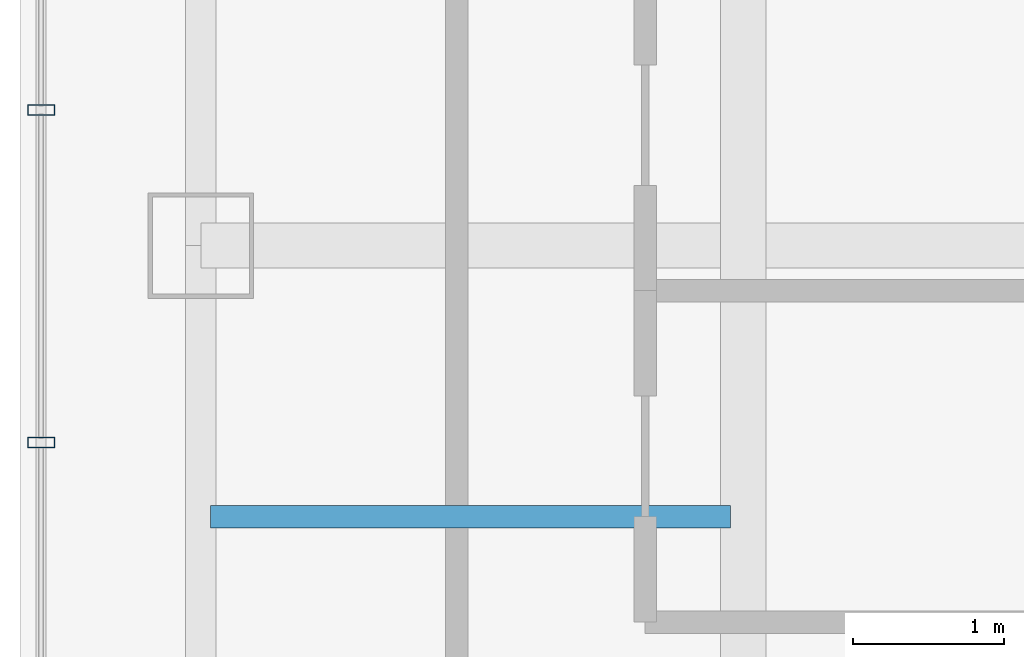
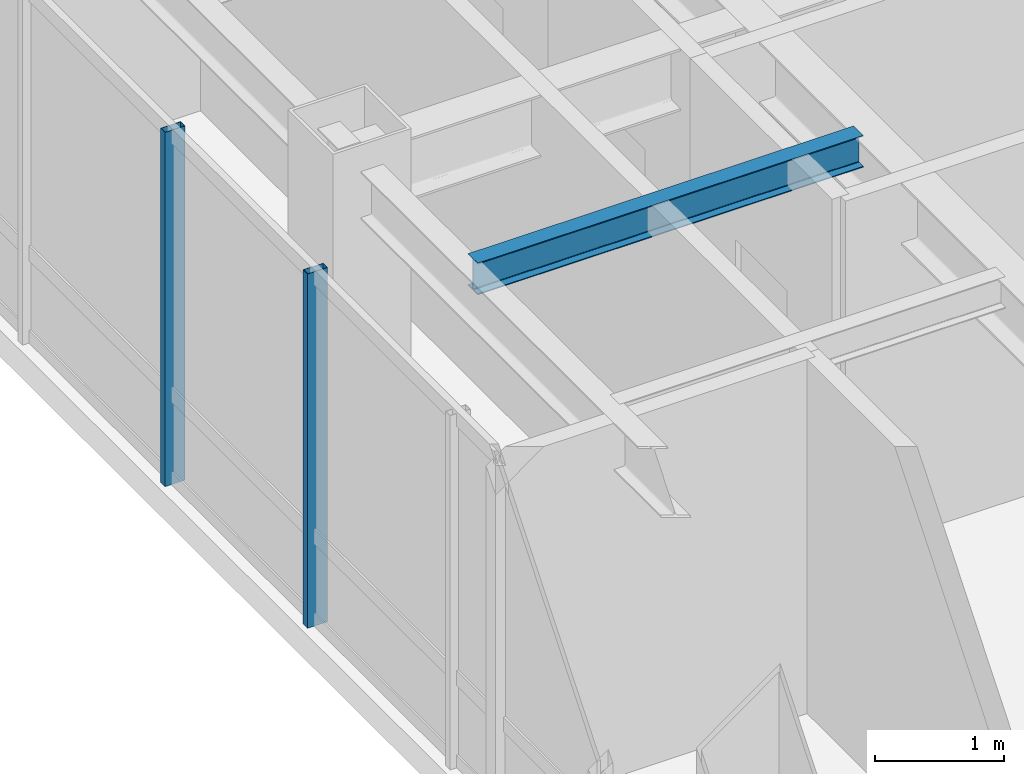
# One storey, part 6 of 24: 2 members, 1 beam, 1 element without a shape of its own.
"""IFC4 building model written with IfcOpenShell, lengths in metres."""

import ifcopenshell
import ifcopenshell.guid

model = None  # the IFC model being written
_history = None  # IfcOwnerHistory: only IFC2X3 demands one
_inside = {}  # id of a spatial element -> (the spatial element, [elements in it])
_under = {}  # id of a project, library or spatial element -> (it, [spatial elements below it])
_declared = {}  # id of a project -> (the project, [libraries it declares])
_typed = {}  # id of a type object -> (the type object, [elements of that type])
_made_of = {}  # id of a material, layer set ... -> (it, [elements and type objects made of it])


def new_model(schema):
    """Start an empty IFC model of exactly this schema.

    Asked for "IFC4X3", IfcOpenShell would pick the latest addendum, in which some entities
    have other attributes; the version numbers below select the first issue.
    IFC2X3 requires an IfcOwnerHistory on every rooted entity: one is made here for all.
    """
    global model, _history
    if schema == "IFC4X3":
        model = ifcopenshell.file(schema_version=(4, 3, 0, 0))
    else:
        model = ifcopenshell.file(schema=schema)
    _inside.clear()
    _under.clear()
    _declared.clear()
    _typed.clear()
    _made_of.clear()
    _history = None
    if model.schema == "IFC2X3":
        org = make("IfcOrganization", Name="unknown")
        user = make(
            "IfcPersonAndOrganization",
            ThePerson=make("IfcPerson", FamilyName="unknown"),
            TheOrganization=org,
        )
        app = make(
            "IfcApplication",
            ApplicationDeveloper=org,
            Version="unknown",
            ApplicationFullName="unknown",
            ApplicationIdentifier="unknown",
        )
        _history = make(
            "IfcOwnerHistory",
            OwningUser=user,
            OwningApplication=app,
            ChangeAction="ADDED",
            CreationDate=0,
        )
    return model


def make(cls, **values):
    """One entity of the class cls with the attributes given. An attribute that is None is left unset."""
    return model.create_entity(
        cls, **{name: value for name, value in values.items() if value is not None}
    )


def rooted(cls, **values):
    """An entity with a GlobalId (a new one), such as an element, a storey or a relation."""
    return make(cls, GlobalId=ifcopenshell.guid.new(), OwnerHistory=_history, **values)


def si_unit(unit_type, name, prefix=None):
    """IfcSIUnit, for example si_unit("LENGTHUNIT", "METRE", prefix="MILLI")."""
    return make("IfcSIUnit", UnitType=unit_type, Prefix=prefix, Name=name)


def assignment(units):
    """IfcUnitAssignment: the units of a project."""
    return None if units is None else make("IfcUnitAssignment", Units=units)


def point(xyz):
    """IfcCartesianPoint."""
    return None if xyz is None else make("IfcCartesianPoint", Coordinates=xyz)


def direction(xyz):
    """IfcDirection."""
    return None if xyz is None else make("IfcDirection", DirectionRatios=xyz)


def frame(location, z_axis=None, x_axis=None):
    """IfcAxis2Placement3D, a coordinate frame: its origin and axes. An axis left out is left unset."""
    return make(
        "IfcAxis2Placement3D",
        Location=point(location),
        Axis=direction(z_axis),
        RefDirection=direction(x_axis),
    )


def frame_2d(location, x_axis=None):
    """IfcAxis2Placement2D, a coordinate frame in the plane: its origin and x axis."""
    return make(
        "IfcAxis2Placement2D", Location=point(location), RefDirection=direction(x_axis)
    )


def origin():
    """The frame at (0, 0, 0) with its axes left unset."""
    return frame((0.0, 0.0, 0.0))


def origin_2d():
    """The frame at (0, 0) in the plane with its x axis left unset."""
    return frame_2d((0.0, 0.0))


def place(relative_to, where):
    """IfcLocalPlacement: puts the frame where relative to a parent placement (None: the world)."""
    return make(
        "IfcLocalPlacement", PlacementRelTo=relative_to, RelativePlacement=where
    )


def context(
    kind, dimensions, precision=None, world=None, true_north=None, identifier=None
):
    """IfcGeometricRepresentationContext, for example the 3D "Model" context."""
    return make(
        "IfcGeometricRepresentationContext",
        ContextIdentifier=identifier,
        ContextType=kind,
        CoordinateSpaceDimension=dimensions,
        Precision=precision,
        WorldCoordinateSystem=world,
        TrueNorth=true_north,
    )


def subcontext(parent, identifier, kind, view, scale=None):
    """IfcGeometricRepresentationSubContext, for example "Body" below "Model"."""
    return make(
        "IfcGeometricRepresentationSubContext",
        ContextIdentifier=identifier,
        ContextType=kind,
        ParentContext=parent,
        TargetScale=scale,
        TargetView=view,
    )


def project(units=None, contexts=None):
    """IfcProject with its units and contexts."""
    return rooted(
        "IfcProject",
        Name="project",
        RepresentationContexts=contexts,
        UnitsInContext=assignment(units),
    )


def spatial(cls, under=None, at=None, **own):
    """A site, building, storey or space (cls), placed at a placement, below another one or the project."""
    s = rooted(cls, ObjectPlacement=at, **own)
    if under is not None:
        _under.setdefault(under.id(), (under, []))[1].append(s)
    return s


def profile(cls, at=None, kind="AREA", **sizes):
    """A parametric profile (cls). Its sizes go by their IFC names, for example OverallWidth=200.0."""
    return make(cls, ProfileType=kind, Position=at, **sizes)


def hollow_rectangle(**sizes):
    """IfcRectangleHollowProfileDef."""
    return profile("IfcRectangleHollowProfileDef", **sizes)


def i_section(**sizes):
    """IfcIShapeProfileDef."""
    return profile("IfcIShapeProfileDef", **sizes)


def extrude(swept, where, along, depth):
    """IfcExtrudedAreaSolid: the profile swept, set in the frame where, extruded along a direction by depth."""
    return make(
        "IfcExtrudedAreaSolid",
        SweptArea=swept,
        Position=where,
        ExtrudedDirection=direction(along),
        Depth=depth,
    )


def shape(context_of_items, identifier, shape_type, items):
    """IfcShapeRepresentation: the items that make up one representation, for example the "Body"."""
    return make(
        "IfcShapeRepresentation",
        ContextOfItems=context_of_items,
        RepresentationIdentifier=identifier,
        RepresentationType=shape_type,
        Items=items,
    )


def material(Name=None, Category=None):
    """IfcMaterial."""
    return make("IfcMaterial", Name=Name, Category=Category)


def layer(
    of_material, thickness, ventilated=None, Name=None, Category=None, Priority=None
):
    """IfcMaterialLayer: one layer of a wall or slab, of a material (None: an air gap)."""
    return make(
        "IfcMaterialLayer",
        Material=of_material,
        LayerThickness=thickness,
        IsVentilated=ventilated,
        Name=Name,
        Category=Category,
        Priority=Priority,
    )


def layer_set(layers, Name=None):
    """IfcMaterialLayerSet."""
    return make("IfcMaterialLayerSet", MaterialLayers=layers, LayerSetName=Name)


def material_profile(
    of_material, cross_section, Name=None, Category=None, Priority=None
):
    """IfcMaterialProfile: a cross section and its material."""
    return make(
        "IfcMaterialProfile",
        Name=Name,
        Material=of_material,
        Profile=cross_section,
        Priority=Priority,
        Category=Category,
    )


def profile_set(profiles, Name=None, composite=None):
    """IfcMaterialProfileSet."""
    return make(
        "IfcMaterialProfileSet",
        Name=Name,
        MaterialProfiles=profiles,
        CompositeProfile=composite,
    )


def made_of(thing, what):
    """Note that an element or type object is made of a material, layer set ...; save() writes the relation."""
    if what is not None:
        _made_of.setdefault(what.id(), (what, []))[1].append(thing)
    return thing


def type_object(cls, material=None, **own):
    """A type object (cls), such as IfcWallType, which elements share."""
    return made_of(rooted(cls, **own), material)


def element(
    cls,
    number,
    at=None,
    inside=None,
    cuts=None,
    type_object=None,
    material=None,
    context=None,
    identifier="Body",
    shape_type=None,
    held_by="IfcProductDefinitionShape",
    body=None,
    shapes=None,
    **own,
):
    """One element of the class cls, such as IfcWall. Its Tag is "e" and its number.

    at: its placement. inside: the storey or other place that contains it. cuts: it is an
    opening in that element (IfcRelVoidsElement). A single representation is given by context,
    identifier, shape_type and body (its items); several are given by shapes. held_by: the class
    of the entity that holds the representations. save() writes the other relations.
    """
    e = rooted(cls, Tag="e%d" % number, ObjectPlacement=at, **own)
    if body is not None:
        shapes = [shape(context, identifier, shape_type, body)]
    if shapes is not None:
        e.Representation = make(held_by, Representations=shapes)
    if inside is not None:
        _inside.setdefault(inside.id(), (inside, []))[1].append(e)
    if cuts is not None:
        rooted(
            "IfcRelVoidsElement", RelatingBuildingElement=cuts, RelatedOpeningElement=e
        )
    if type_object is not None:
        _typed.setdefault(type_object.id(), (type_object, []))[1].append(e)
    return made_of(e, material)


def aggregate(whole, parts):
    """IfcRelAggregates: a whole, such as a stair, and the parts it consists of."""
    return rooted("IfcRelAggregates", RelatingObject=whole, RelatedObjects=parts)


def save(model, path):
    """Write the relations noted so far, then the file.

    IfcRelAggregates (storeys below a building ...), IfcRelContainedInSpatialStructure (elements
    in a storey), IfcRelDefinesByType, IfcRelAssociatesMaterial and IfcRelDeclares: one each for
    every whole, place, type object, material and project.
    """
    for whole, parts in _under.values():
        aggregate(whole, parts)
    for where, things in _inside.values():
        rooted(
            "IfcRelContainedInSpatialStructure",
            RelatedElements=things,
            RelatingStructure=where,
        )
    for kind, things in _typed.values():
        rooted("IfcRelDefinesByType", RelatedObjects=things, RelatingType=kind)
    for what, things in _made_of.values():
        rooted("IfcRelAssociatesMaterial", RelatedObjects=things, RelatingMaterial=what)
    for by, libraries in _declared.values():
        rooted("IfcRelDeclares", RelatingContext=by, RelatedDefinitions=libraries)
    model.write(path)


model = new_model("IFC4")

# Units and contexts
model_context = context("Model", 3, precision=1e-05, world=origin(), true_north=direction((0.0, 1.0)))
body_context = subcontext(model_context, "Body", "Model", "MODEL_VIEW")
ifc_project = project(units=[si_unit("LENGTHUNIT", "METRE"), si_unit("AREAUNIT", "SQUARE_METRE"), si_unit("VOLUMEUNIT", "CUBIC_METRE"), si_unit("PLANEANGLEUNIT", "RADIAN"), si_unit("MASSUNIT", "GRAM", prefix="KILO")], contexts=[model_context])

# Site, building, storey
site_placement = place(None, origin())
site = spatial("IfcSite", under=ifc_project, at=site_placement, CompositionType="ELEMENT")
building_placement = place(site_placement, origin())
building = spatial("IfcBuilding", under=site, at=building_placement, Name="Hatsunagi Terrace Concourse", CompositionType="ELEMENT")
storey_placement = place(building_placement, frame((0.0, 0.0, 202.35009765625)))
storey = spatial("IfcBuildingStorey", under=building, at=storey_placement, Name="L53", CompositionType="ELEMENT", Elevation=202.35009765625)

# Curtain wall, members
ifc_material_1 = material(Name="Anodised Aluminium Alloy 6063-T5", Category="aluminium")
ifc_layer = layer(ifc_material_1, 0.199951171875)
ifc_layer_set = layer_set([ifc_layer], Name="OfficeZone2_CW04")
curtain_wall_type = type_object("IfcCurtainWallType", Name="OfficeZone2_CW04", PredefinedType="NOTDEFINED", material=ifc_layer_set)
curtain_wall_placement = place(storey_placement, origin())
curtain_wall = element("IfcCurtainWall", 1, at=curtain_wall_placement, inside=storey, type_object=curtain_wall_type, Name="Unitised Curtain Wall CW-04 CW-L53-08", PredefinedType="NOTDEFINED")
ifc_material_2 = material(Name="Anodised Aluminium Alloy 6063-T5", Category="aluminium")
ifc_material_profile_1 = material_profile(ifc_material_2, hollow_rectangle(XDim=0.070068359375, YDim=0.179931640625, WallThickness=0.00390625, at=origin_2d()), Name="ALU-MUL-180x70x4")
ifc_profile_set_1 = profile_set([ifc_material_profile_1], Name="Anodised Aluminium Alloy 6063-T5")
member_type = type_object("IfcMemberType", Name="CurtainWallMullion_180x70", PredefinedType="MULLION", material=ifc_profile_set_1)
member_1_placement = place(storey_placement, frame((18.139892578125, 34.69189453125, 0.0), z_axis=(0.0, 0.0, 1.0), x_axis=(0.0, 1.0, 0.0)))
member_1 = element("IfcMember", 2, at=member_1_placement, type_object=member_type, Name="Curtain Wall Mullion MUL-02", PredefinedType="MULLION", context=body_context, shape_type="SweptSolid", body=[
    extrude(hollow_rectangle(XDim=0.070068359375, YDim=0.179931640625, WallThickness=0.00390625, at=origin_2d()), origin(), (0.0, 0.0, 1.0), 3.349853515625),
])
member_2_placement = place(storey_placement, frame((18.139892578125, 36.89990234375, 0.0), z_axis=(0.0, 0.0, 1.0), x_axis=(0.0, 1.0, 0.0)))
member_2 = element("IfcMember", 3, at=member_2_placement, type_object=member_type, Name="Curtain Wall Mullion MUL-02", PredefinedType="MULLION", context=body_context, shape_type="SweptSolid", body=[
    extrude(hollow_rectangle(XDim=0.070068359375, YDim=0.179931640625, WallThickness=0.00390625, at=origin_2d()), origin(), (0.0, 0.0, 1.0), 3.349853515625),
])
aggregate(curtain_wall, [member_1, member_2])

# Beam
ifc_material_3 = material(Name="Steel SN490B", Category="steel")
ifc_material_profile_2 = material_profile(ifc_material_3, i_section(OverallWidth=0.14990234375, OverallDepth=0.300048828125, WebThickness=0.006591796875, FlangeThickness=0.009033203125, FilletRadius=0.010986328125, at=origin_2d()), Name="H-300x150x6.5x9")
ifc_profile_set_2 = profile_set([ifc_material_profile_2], Name="Steel SN490B")
beam_type = type_object("IfcBeamType", Name="OfficeJoist_H_300x150", PredefinedType="JOIST", material=ifc_profile_set_2)
beam_placement = place(storey_placement, frame((19.264892578125, 34.199951171875, 3.199951171875), z_axis=(1.0, 0.0, 0.0), x_axis=(0.0, 1.0, 0.0)))
element("IfcBeam", 4, at=beam_placement, inside=storey, type_object=beam_type, Name="Beam J-03 J-L53-W-19-342", PredefinedType="JOIST", context=body_context, shape_type="SweptSolid", body=[
    extrude(i_section(OverallWidth=0.14990234375, OverallDepth=0.300048828125, WebThickness=0.006591796875, FlangeThickness=0.009033203125, FilletRadius=0.010986328125, at=origin_2d()), origin(), (0.0, 0.0, 1.0), 3.4501953125),
])

save(model, "model.ifc")
